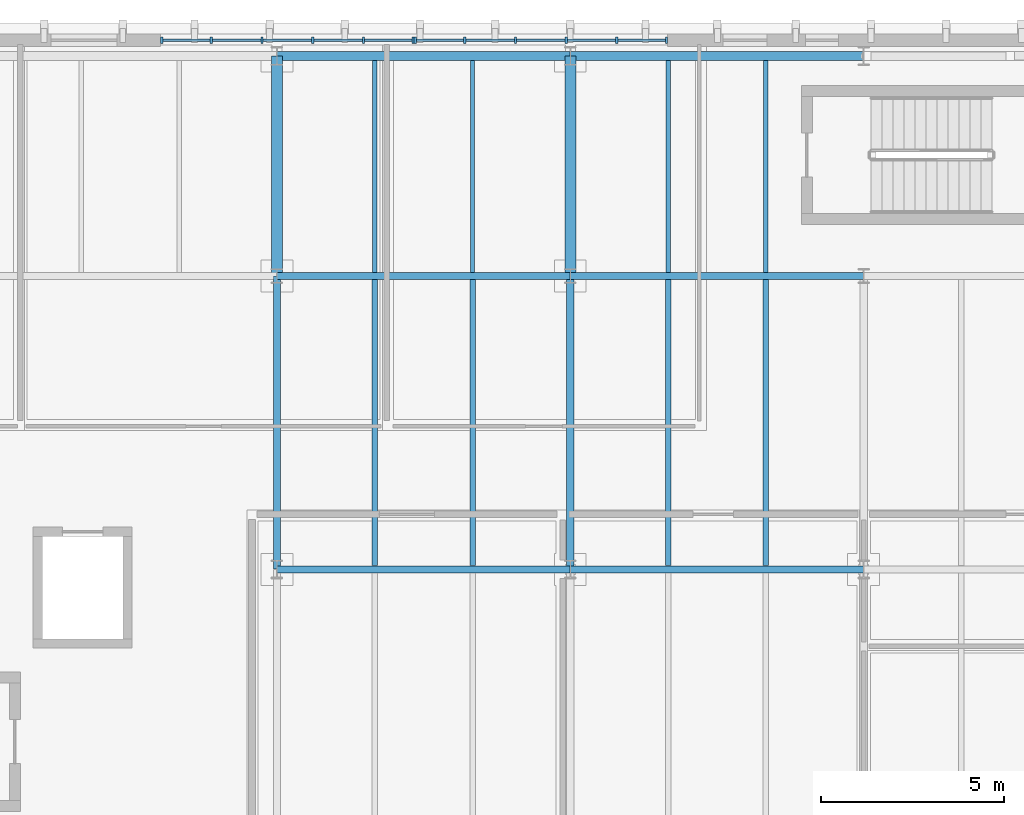
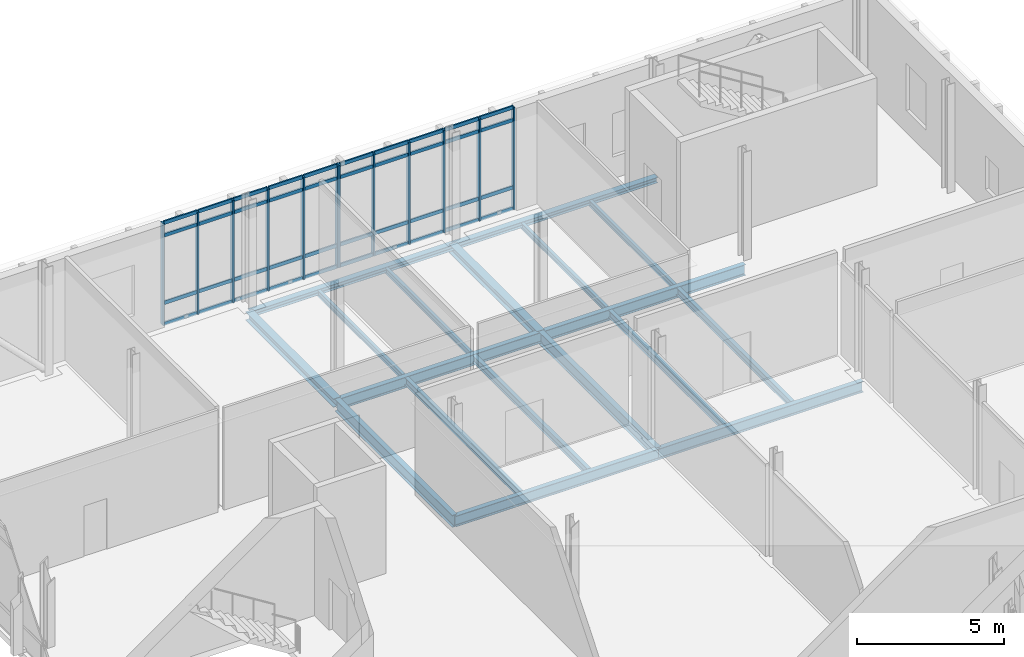
# One storey, part 39 of 100: 52 members, 18 beams, 2 elements without a shape of their own.
"""IFC4 building model written with IfcOpenShell, lengths in metres."""

from ifc_helpers import new_model, si_unit, direction, frame, origin, origin_2d, place, context, subcontext, project, spatial, rectangle, i_section, extrude, material, material_profile, profile_set, type_object, element, aggregate, save


model = new_model("IFC4")

# Units and contexts
model_context = context("Model", 3, precision=1e-05, world=origin(), true_north=direction((0.0, 1.0)))
body_context = subcontext(model_context, "Body", "Model", "MODEL_VIEW")
ifc_project = project(units=[si_unit("LENGTHUNIT", "METRE"), si_unit("AREAUNIT", "SQUARE_METRE"), si_unit("VOLUMEUNIT", "CUBIC_METRE"), si_unit("PLANEANGLEUNIT", "RADIAN"), si_unit("MASSUNIT", "GRAM", prefix="KILO")], contexts=[model_context])

# Site, building, storey
site_placement = place(None, origin())
site = spatial("IfcSite", under=ifc_project, at=site_placement, CompositionType="ELEMENT")
building_placement = place(site_placement, origin())
building = spatial("IfcBuilding", under=site, at=building_placement, Name="Cymarion Research Institute", CompositionType="ELEMENT")
storey_placement = place(building_placement, frame((0.0, 0.0, 4.800048828125)))
storey = spatial("IfcBuildingStorey", under=building, at=storey_placement, Name="L01", CompositionType="ELEMENT", Elevation=4.800048828125)

# Curtain wall, members
ifc_material_1 = material(Name="Anodised aluminium unitised curtain wall with Low-E glazing", Category="aluminium")
curtain_wall_type = type_object("IfcCurtainWallType", Name="UNITISED CURTAIN WALL CW23 6910X4250", PredefinedType="NOTDEFINED", material=ifc_material_1)
curtain_wall_1_placement = place(storey_placement, origin())
curtain_wall_1 = element("IfcCurtainWall", 1, at=curtain_wall_1_placement, inside=storey, type_object=curtain_wall_type, Name="L01 V5 unitised curtain wall CW23 #49", PredefinedType="NOTDEFINED")
ifc_material_2 = material(Name="Anodised aluminium framing", Category="aluminium")
ifc_material_profile_1 = material_profile(ifc_material_2, rectangle(XDim=0.06005859375, YDim=0.179931640625, at=origin_2d()), Name="ALU MULLION 60x180")
ifc_profile_set_1 = profile_set([ifc_material_profile_1], Name="Anodised aluminium framing")
member_type_1 = type_object("IfcMemberType", Name="CURTAIN WALL MULLION ML01 60X180", PredefinedType="MULLION", material=ifc_profile_set_1)
member_1_placement = place(storey_placement, frame((33.221923828125, 115.929931640625, 0.0), z_axis=(0.0, 0.0, 1.0), x_axis=(-1.0, 0.0, 0.0)))
member_1 = element("IfcMember", 2, at=member_1_placement, type_object=member_type_1, Name="CW23 mullion 1", PredefinedType="MULLION", context=body_context, shape_type="SweptSolid", body=[
    extrude(rectangle(XDim=0.06005859375, YDim=0.179931640625, at=origin_2d()), origin(), (0.0, 0.0, 1.0), 4.25),
])
member_2_placement = place(storey_placement, frame((31.869384765625, 115.929931640625, 0.0), z_axis=(0.0, 0.0, 1.0), x_axis=(-1.0, 0.0, 0.0)))
member_2 = element("IfcMember", 3, at=member_2_placement, type_object=member_type_1, Name="CW23 mullion 2", PredefinedType="MULLION", context=body_context, shape_type="SweptSolid", body=[
    extrude(rectangle(XDim=0.06005859375, YDim=0.179931640625, at=origin_2d()), origin(), (0.0, 0.0, 1.0), 4.25),
])
member_3_placement = place(storey_placement, frame((30.48681640625, 115.929931640625, 0.0), z_axis=(0.0, 0.0, 1.0), x_axis=(-1.0, 0.0, 0.0)))
member_3 = element("IfcMember", 4, at=member_3_placement, type_object=member_type_1, Name="CW23 mullion 3", PredefinedType="MULLION", context=body_context, shape_type="SweptSolid", body=[
    extrude(rectangle(XDim=0.06005859375, YDim=0.179931640625, at=origin_2d()), origin(), (0.0, 0.0, 1.0), 4.25),
])
member_4_placement = place(storey_placement, frame((29.104248046875, 115.929931640625, 0.0), z_axis=(0.0, 0.0, 1.0), x_axis=(-1.0, 0.0, 0.0)))
member_4 = element("IfcMember", 5, at=member_4_placement, type_object=member_type_1, Name="CW23 mullion 4", PredefinedType="MULLION", context=body_context, shape_type="SweptSolid", body=[
    extrude(rectangle(XDim=0.06005859375, YDim=0.179931640625, at=origin_2d()), origin(), (0.0, 0.0, 1.0), 4.25),
])
member_5_placement = place(storey_placement, frame((27.7216796875, 115.929931640625, 0.0), z_axis=(0.0, 0.0, 1.0), x_axis=(-1.0, 0.0, 0.0)))
member_5 = element("IfcMember", 6, at=member_5_placement, type_object=member_type_1, Name="CW23 mullion 5", PredefinedType="MULLION", context=body_context, shape_type="SweptSolid", body=[
    extrude(rectangle(XDim=0.06005859375, YDim=0.179931640625, at=origin_2d()), origin(), (0.0, 0.0, 1.0), 4.25),
])
member_6_placement = place(storey_placement, frame((26.368896484375, 115.929931640625, 0.0), z_axis=(0.0, 0.0, 1.0), x_axis=(-1.0, 0.0, 0.0)))
member_6 = element("IfcMember", 7, at=member_6_placement, type_object=member_type_1, Name="CW23 mullion 6", PredefinedType="MULLION", context=body_context, shape_type="SweptSolid", body=[
    extrude(rectangle(XDim=0.06005859375, YDim=0.179931640625, at=origin_2d()), origin(), (0.0, 0.0, 1.0), 4.25),
])

curtain_wall_2_placement = place(storey_placement, origin())
curtain_wall_2 = element("IfcCurtainWall", 8, at=curtain_wall_2_placement, inside=storey, type_object=curtain_wall_type, Name="L01 V5 unitised curtain wall CW23 #50", PredefinedType="NOTDEFINED")
member_7_placement = place(storey_placement, frame((26.30908203125, 115.929931640625, 0.0), z_axis=(0.0, 0.0, 1.0), x_axis=(-1.0, 0.0, 0.0)))
member_7 = element("IfcMember", 9, at=member_7_placement, type_object=member_type_1, Name="CW23 mullion 1", PredefinedType="MULLION", context=body_context, shape_type="SweptSolid", body=[
    extrude(rectangle(XDim=0.06005859375, YDim=0.179931640625, at=origin_2d()), origin(), (0.0, 0.0, 1.0), 4.25),
])
member_8_placement = place(storey_placement, frame((24.956298828125, 115.929931640625, 0.0), z_axis=(0.0, 0.0, 1.0), x_axis=(-1.0, 0.0, 0.0)))
member_8 = element("IfcMember", 10, at=member_8_placement, type_object=member_type_1, Name="CW23 mullion 2", PredefinedType="MULLION", context=body_context, shape_type="SweptSolid", body=[
    extrude(rectangle(XDim=0.06005859375, YDim=0.179931640625, at=origin_2d()), origin(), (0.0, 0.0, 1.0), 4.25),
])
member_9_placement = place(storey_placement, frame((23.57373046875, 115.929931640625, 0.0), z_axis=(0.0, 0.0, 1.0), x_axis=(-1.0, 0.0, 0.0)))
member_9 = element("IfcMember", 11, at=member_9_placement, type_object=member_type_1, Name="CW23 mullion 3", PredefinedType="MULLION", context=body_context, shape_type="SweptSolid", body=[
    extrude(rectangle(XDim=0.06005859375, YDim=0.179931640625, at=origin_2d()), origin(), (0.0, 0.0, 1.0), 4.25),
])
member_10_placement = place(storey_placement, frame((22.191162109375, 115.929931640625, 0.0), z_axis=(0.0, 0.0, 1.0), x_axis=(-1.0, 0.0, 0.0)))
member_10 = element("IfcMember", 12, at=member_10_placement, type_object=member_type_1, Name="CW23 mullion 4", PredefinedType="MULLION", context=body_context, shape_type="SweptSolid", body=[
    extrude(rectangle(XDim=0.06005859375, YDim=0.179931640625, at=origin_2d()), origin(), (0.0, 0.0, 1.0), 4.25),
])
member_11_placement = place(storey_placement, frame((20.80859375, 115.929931640625, 0.0), z_axis=(0.0, 0.0, 1.0), x_axis=(-1.0, 0.0, 0.0)))
member_11 = element("IfcMember", 13, at=member_11_placement, type_object=member_type_1, Name="CW23 mullion 5", PredefinedType="MULLION", context=body_context, shape_type="SweptSolid", body=[
    extrude(rectangle(XDim=0.06005859375, YDim=0.179931640625, at=origin_2d()), origin(), (0.0, 0.0, 1.0), 4.25),
])
member_12_placement = place(storey_placement, frame((19.4560546875, 115.929931640625, 0.0), z_axis=(0.0, 0.0, 1.0), x_axis=(-1.0, 0.0, 0.0)))
member_12 = element("IfcMember", 14, at=member_12_placement, type_object=member_type_1, Name="CW23 mullion 6", PredefinedType="MULLION", context=body_context, shape_type="SweptSolid", body=[
    extrude(rectangle(XDim=0.06005859375, YDim=0.179931640625, at=origin_2d()), origin(), (0.0, 0.0, 1.0), 4.25),
])

# Member
ifc_material_profile_2 = material_profile(ifc_material_2, rectangle(XDim=0.06005859375, YDim=0.14990234375, at=origin_2d()), Name="ALU TRANSOM 60x150")
ifc_profile_set_2 = profile_set([ifc_material_profile_2], Name="Anodised aluminium framing")
member_type_2 = type_object("IfcMemberType", Name="CURTAIN WALL TRANSOM TR01 60X150", PredefinedType="USERDEFINED", material=ifc_profile_set_2)
member_13_placement = place(storey_placement, frame((33.19189453125, 115.929931640625, 0.030029296875), z_axis=(-1.0, 0.0, 0.0), x_axis=(0.0, -1.0, 0.0)))
member_13 = element("IfcMember", 15, at=member_13_placement, type_object=member_type_2, Name="CW23 transom 1.1", ObjectType="TRANSOM", PredefinedType="USERDEFINED", context=body_context, shape_type="SweptSolid", body=[
    extrude(rectangle(XDim=0.06005859375, YDim=0.14990234375, at=origin_2d()), origin(), (0.0, 0.0, 1.0), 1.29248046875),
])

member_14_placement = place(storey_placement, frame((33.19189453125, 115.929931640625, 0.89990234375), z_axis=(-1.0, 0.0, 0.0), x_axis=(0.0, -1.0, 0.0)))
member_14 = element("IfcMember", 16, at=member_14_placement, type_object=member_type_2, Name="CW23 transom 1.2", ObjectType="TRANSOM", PredefinedType="USERDEFINED", context=body_context, shape_type="SweptSolid", body=[
    extrude(rectangle(XDim=0.06005859375, YDim=0.14990234375, at=origin_2d()), origin(), (0.0, 0.0, 1.0), 1.29248046875),
])

member_15_placement = place(storey_placement, frame((33.19189453125, 115.929931640625, 3.699951171875), z_axis=(-1.0, 0.0, 0.0), x_axis=(0.0, -1.0, 0.0)))
member_15 = element("IfcMember", 17, at=member_15_placement, type_object=member_type_2, Name="CW23 transom 1.3", ObjectType="TRANSOM", PredefinedType="USERDEFINED", context=body_context, shape_type="SweptSolid", body=[
    extrude(rectangle(XDim=0.06005859375, YDim=0.14990234375, at=origin_2d()), origin(), (0.0, 0.0, 1.0), 1.29248046875),
])

member_16_placement = place(storey_placement, frame((33.19189453125, 115.929931640625, 4.219970703125), z_axis=(-1.0, 0.0, 0.0), x_axis=(0.0, -1.0, 0.0)))
member_16 = element("IfcMember", 18, at=member_16_placement, type_object=member_type_2, Name="CW23 transom 1.4", ObjectType="TRANSOM", PredefinedType="USERDEFINED", context=body_context, shape_type="SweptSolid", body=[
    extrude(rectangle(XDim=0.06005859375, YDim=0.14990234375, at=origin_2d()), origin(), (0.0, 0.0, 1.0), 1.29248046875),
])

member_17_placement = place(storey_placement, frame((31.83935546875, 115.929931640625, 0.030029296875), z_axis=(-1.0, 0.0, 0.0), x_axis=(0.0, -1.0, 0.0)))
member_17 = element("IfcMember", 19, at=member_17_placement, type_object=member_type_2, Name="CW23 transom 2.1", ObjectType="TRANSOM", PredefinedType="USERDEFINED", context=body_context, shape_type="SweptSolid", body=[
    extrude(rectangle(XDim=0.06005859375, YDim=0.14990234375, at=origin_2d()), origin(), (0.0, 0.0, 1.0), 1.322509765625),
])

member_18_placement = place(storey_placement, frame((31.83935546875, 115.929931640625, 0.89990234375), z_axis=(-1.0, 0.0, 0.0), x_axis=(0.0, -1.0, 0.0)))
member_18 = element("IfcMember", 20, at=member_18_placement, type_object=member_type_2, Name="CW23 transom 2.2", ObjectType="TRANSOM", PredefinedType="USERDEFINED", context=body_context, shape_type="SweptSolid", body=[
    extrude(rectangle(XDim=0.06005859375, YDim=0.14990234375, at=origin_2d()), origin(), (0.0, 0.0, 1.0), 1.322509765625),
])

member_19_placement = place(storey_placement, frame((31.83935546875, 115.929931640625, 3.699951171875), z_axis=(-1.0, 0.0, 0.0), x_axis=(0.0, -1.0, 0.0)))
member_19 = element("IfcMember", 21, at=member_19_placement, type_object=member_type_2, Name="CW23 transom 2.3", ObjectType="TRANSOM", PredefinedType="USERDEFINED", context=body_context, shape_type="SweptSolid", body=[
    extrude(rectangle(XDim=0.06005859375, YDim=0.14990234375, at=origin_2d()), origin(), (0.0, 0.0, 1.0), 1.322509765625),
])

member_20_placement = place(storey_placement, frame((31.83935546875, 115.929931640625, 4.219970703125), z_axis=(-1.0, 0.0, 0.0), x_axis=(0.0, -1.0, 0.0)))
member_20 = element("IfcMember", 22, at=member_20_placement, type_object=member_type_2, Name="CW23 transom 2.4", ObjectType="TRANSOM", PredefinedType="USERDEFINED", context=body_context, shape_type="SweptSolid", body=[
    extrude(rectangle(XDim=0.06005859375, YDim=0.14990234375, at=origin_2d()), origin(), (0.0, 0.0, 1.0), 1.322509765625),
])

member_21_placement = place(storey_placement, frame((30.456787109375, 115.929931640625, 0.030029296875), z_axis=(-1.0, 0.0, 0.0), x_axis=(0.0, -1.0, 0.0)))
member_21 = element("IfcMember", 23, at=member_21_placement, type_object=member_type_2, Name="CW23 transom 3.1", ObjectType="TRANSOM", PredefinedType="USERDEFINED", context=body_context, shape_type="SweptSolid", body=[
    extrude(rectangle(XDim=0.06005859375, YDim=0.14990234375, at=origin_2d()), origin(), (0.0, 0.0, 1.0), 1.322509765625),
])

member_22_placement = place(storey_placement, frame((30.456787109375, 115.929931640625, 0.89990234375), z_axis=(-1.0, 0.0, 0.0), x_axis=(0.0, -1.0, 0.0)))
member_22 = element("IfcMember", 24, at=member_22_placement, type_object=member_type_2, Name="CW23 transom 3.2", ObjectType="TRANSOM", PredefinedType="USERDEFINED", context=body_context, shape_type="SweptSolid", body=[
    extrude(rectangle(XDim=0.06005859375, YDim=0.14990234375, at=origin_2d()), origin(), (0.0, 0.0, 1.0), 1.322509765625),
])

member_23_placement = place(storey_placement, frame((30.456787109375, 115.929931640625, 3.699951171875), z_axis=(-1.0, 0.0, 0.0), x_axis=(0.0, -1.0, 0.0)))
member_23 = element("IfcMember", 25, at=member_23_placement, type_object=member_type_2, Name="CW23 transom 3.3", ObjectType="TRANSOM", PredefinedType="USERDEFINED", context=body_context, shape_type="SweptSolid", body=[
    extrude(rectangle(XDim=0.06005859375, YDim=0.14990234375, at=origin_2d()), origin(), (0.0, 0.0, 1.0), 1.322509765625),
])

member_24_placement = place(storey_placement, frame((30.456787109375, 115.929931640625, 4.219970703125), z_axis=(-1.0, 0.0, 0.0), x_axis=(0.0, -1.0, 0.0)))
member_24 = element("IfcMember", 26, at=member_24_placement, type_object=member_type_2, Name="CW23 transom 3.4", ObjectType="TRANSOM", PredefinedType="USERDEFINED", context=body_context, shape_type="SweptSolid", body=[
    extrude(rectangle(XDim=0.06005859375, YDim=0.14990234375, at=origin_2d()), origin(), (0.0, 0.0, 1.0), 1.322509765625),
])

member_25_placement = place(storey_placement, frame((29.07421875, 115.929931640625, 0.030029296875), z_axis=(-1.0, 0.0, 0.0), x_axis=(0.0, -1.0, 0.0)))
member_25 = element("IfcMember", 27, at=member_25_placement, type_object=member_type_2, Name="CW23 transom 4.1", ObjectType="TRANSOM", PredefinedType="USERDEFINED", context=body_context, shape_type="SweptSolid", body=[
    extrude(rectangle(XDim=0.06005859375, YDim=0.14990234375, at=origin_2d()), origin(), (0.0, 0.0, 1.0), 1.322509765625),
])

member_26_placement = place(storey_placement, frame((29.07421875, 115.929931640625, 0.89990234375), z_axis=(-1.0, 0.0, 0.0), x_axis=(0.0, -1.0, 0.0)))
member_26 = element("IfcMember", 28, at=member_26_placement, type_object=member_type_2, Name="CW23 transom 4.2", ObjectType="TRANSOM", PredefinedType="USERDEFINED", context=body_context, shape_type="SweptSolid", body=[
    extrude(rectangle(XDim=0.06005859375, YDim=0.14990234375, at=origin_2d()), origin(), (0.0, 0.0, 1.0), 1.322509765625),
])

member_27_placement = place(storey_placement, frame((29.07421875, 115.929931640625, 3.699951171875), z_axis=(-1.0, 0.0, 0.0), x_axis=(0.0, -1.0, 0.0)))
member_27 = element("IfcMember", 29, at=member_27_placement, type_object=member_type_2, Name="CW23 transom 4.3", ObjectType="TRANSOM", PredefinedType="USERDEFINED", context=body_context, shape_type="SweptSolid", body=[
    extrude(rectangle(XDim=0.06005859375, YDim=0.14990234375, at=origin_2d()), origin(), (0.0, 0.0, 1.0), 1.322509765625),
])

member_28_placement = place(storey_placement, frame((29.07421875, 115.929931640625, 4.219970703125), z_axis=(-1.0, 0.0, 0.0), x_axis=(0.0, -1.0, 0.0)))
member_28 = element("IfcMember", 30, at=member_28_placement, type_object=member_type_2, Name="CW23 transom 4.4", ObjectType="TRANSOM", PredefinedType="USERDEFINED", context=body_context, shape_type="SweptSolid", body=[
    extrude(rectangle(XDim=0.06005859375, YDim=0.14990234375, at=origin_2d()), origin(), (0.0, 0.0, 1.0), 1.322509765625),
])

member_29_placement = place(storey_placement, frame((27.691650390625, 115.929931640625, 0.030029296875), z_axis=(-1.0, 0.0, 0.0), x_axis=(0.0, -1.0, 0.0)))
member_29 = element("IfcMember", 31, at=member_29_placement, type_object=member_type_2, Name="CW23 transom 5.1", ObjectType="TRANSOM", PredefinedType="USERDEFINED", context=body_context, shape_type="SweptSolid", body=[
    extrude(rectangle(XDim=0.06005859375, YDim=0.14990234375, at=origin_2d()), origin(), (0.0, 0.0, 1.0), 1.292724609375),
])

member_30_placement = place(storey_placement, frame((27.691650390625, 115.929931640625, 0.89990234375), z_axis=(-1.0, 0.0, 0.0), x_axis=(0.0, -1.0, 0.0)))
member_30 = element("IfcMember", 32, at=member_30_placement, type_object=member_type_2, Name="CW23 transom 5.2", ObjectType="TRANSOM", PredefinedType="USERDEFINED", context=body_context, shape_type="SweptSolid", body=[
    extrude(rectangle(XDim=0.06005859375, YDim=0.14990234375, at=origin_2d()), origin(), (0.0, 0.0, 1.0), 1.292724609375),
])

member_31_placement = place(storey_placement, frame((27.691650390625, 115.929931640625, 3.699951171875), z_axis=(-1.0, 0.0, 0.0), x_axis=(0.0, -1.0, 0.0)))
member_31 = element("IfcMember", 33, at=member_31_placement, type_object=member_type_2, Name="CW23 transom 5.3", ObjectType="TRANSOM", PredefinedType="USERDEFINED", context=body_context, shape_type="SweptSolid", body=[
    extrude(rectangle(XDim=0.06005859375, YDim=0.14990234375, at=origin_2d()), origin(), (0.0, 0.0, 1.0), 1.292724609375),
])

member_32_placement = place(storey_placement, frame((27.691650390625, 115.929931640625, 4.219970703125), z_axis=(-1.0, 0.0, 0.0), x_axis=(0.0, -1.0, 0.0)))
member_32 = element("IfcMember", 34, at=member_32_placement, type_object=member_type_2, Name="CW23 transom 5.4", ObjectType="TRANSOM", PredefinedType="USERDEFINED", context=body_context, shape_type="SweptSolid", body=[
    extrude(rectangle(XDim=0.06005859375, YDim=0.14990234375, at=origin_2d()), origin(), (0.0, 0.0, 1.0), 1.292724609375),
])

aggregate(curtain_wall_1, [member_1, member_2, member_3, member_4, member_5, member_6, member_13, member_14, member_15, member_16, member_17, member_18, member_19, member_20, member_21, member_22, member_23, member_24, member_25, member_26, member_27, member_28, member_29, member_30, member_31, member_32])

member_33_placement = place(storey_placement, frame((26.279052734375, 115.929931640625, 0.030029296875), z_axis=(-1.0, 0.0, 0.0), x_axis=(0.0, -1.0, 0.0)))
member_33 = element("IfcMember", 35, at=member_33_placement, type_object=member_type_2, Name="CW23 transom 1.1", ObjectType="TRANSOM", PredefinedType="USERDEFINED", context=body_context, shape_type="SweptSolid", body=[
    extrude(rectangle(XDim=0.06005859375, YDim=0.14990234375, at=origin_2d()), origin(), (0.0, 0.0, 1.0), 1.292724609375),
])

member_34_placement = place(storey_placement, frame((26.279052734375, 115.929931640625, 0.89990234375), z_axis=(-1.0, 0.0, 0.0), x_axis=(0.0, -1.0, 0.0)))
member_34 = element("IfcMember", 36, at=member_34_placement, type_object=member_type_2, Name="CW23 transom 1.2", ObjectType="TRANSOM", PredefinedType="USERDEFINED", context=body_context, shape_type="SweptSolid", body=[
    extrude(rectangle(XDim=0.06005859375, YDim=0.14990234375, at=origin_2d()), origin(), (0.0, 0.0, 1.0), 1.292724609375),
])

member_35_placement = place(storey_placement, frame((26.279052734375, 115.929931640625, 3.699951171875), z_axis=(-1.0, 0.0, 0.0), x_axis=(0.0, -1.0, 0.0)))
member_35 = element("IfcMember", 37, at=member_35_placement, type_object=member_type_2, Name="CW23 transom 1.3", ObjectType="TRANSOM", PredefinedType="USERDEFINED", context=body_context, shape_type="SweptSolid", body=[
    extrude(rectangle(XDim=0.06005859375, YDim=0.14990234375, at=origin_2d()), origin(), (0.0, 0.0, 1.0), 1.292724609375),
])

member_36_placement = place(storey_placement, frame((26.279052734375, 115.929931640625, 4.219970703125), z_axis=(-1.0, 0.0, 0.0), x_axis=(0.0, -1.0, 0.0)))
member_36 = element("IfcMember", 38, at=member_36_placement, type_object=member_type_2, Name="CW23 transom 1.4", ObjectType="TRANSOM", PredefinedType="USERDEFINED", context=body_context, shape_type="SweptSolid", body=[
    extrude(rectangle(XDim=0.06005859375, YDim=0.14990234375, at=origin_2d()), origin(), (0.0, 0.0, 1.0), 1.292724609375),
])

member_37_placement = place(storey_placement, frame((24.926513671875, 115.929931640625, 0.030029296875), z_axis=(-1.0, 0.0, 0.0), x_axis=(0.0, -1.0, 0.0)))
member_37 = element("IfcMember", 39, at=member_37_placement, type_object=member_type_2, Name="CW23 transom 2.1", ObjectType="TRANSOM", PredefinedType="USERDEFINED", context=body_context, shape_type="SweptSolid", body=[
    extrude(rectangle(XDim=0.06005859375, YDim=0.14990234375, at=origin_2d()), origin(), (0.0, 0.0, 1.0), 1.32275390625),
])

member_38_placement = place(storey_placement, frame((24.926513671875, 115.929931640625, 0.89990234375), z_axis=(-1.0, 0.0, 0.0), x_axis=(0.0, -1.0, 0.0)))
member_38 = element("IfcMember", 40, at=member_38_placement, type_object=member_type_2, Name="CW23 transom 2.2", ObjectType="TRANSOM", PredefinedType="USERDEFINED", context=body_context, shape_type="SweptSolid", body=[
    extrude(rectangle(XDim=0.06005859375, YDim=0.14990234375, at=origin_2d()), origin(), (0.0, 0.0, 1.0), 1.32275390625),
])

member_39_placement = place(storey_placement, frame((24.926513671875, 115.929931640625, 3.699951171875), z_axis=(-1.0, 0.0, 0.0), x_axis=(0.0, -1.0, 0.0)))
member_39 = element("IfcMember", 41, at=member_39_placement, type_object=member_type_2, Name="CW23 transom 2.3", ObjectType="TRANSOM", PredefinedType="USERDEFINED", context=body_context, shape_type="SweptSolid", body=[
    extrude(rectangle(XDim=0.06005859375, YDim=0.14990234375, at=origin_2d()), origin(), (0.0, 0.0, 1.0), 1.32275390625),
])

member_40_placement = place(storey_placement, frame((24.926513671875, 115.929931640625, 4.219970703125), z_axis=(-1.0, 0.0, 0.0), x_axis=(0.0, -1.0, 0.0)))
member_40 = element("IfcMember", 42, at=member_40_placement, type_object=member_type_2, Name="CW23 transom 2.4", ObjectType="TRANSOM", PredefinedType="USERDEFINED", context=body_context, shape_type="SweptSolid", body=[
    extrude(rectangle(XDim=0.06005859375, YDim=0.14990234375, at=origin_2d()), origin(), (0.0, 0.0, 1.0), 1.32275390625),
])

member_41_placement = place(storey_placement, frame((23.543701171875, 115.929931640625, 0.030029296875), z_axis=(-1.0, 0.0, 0.0), x_axis=(0.0, -1.0, 0.0)))
member_41 = element("IfcMember", 43, at=member_41_placement, type_object=member_type_2, Name="CW23 transom 3.1", ObjectType="TRANSOM", PredefinedType="USERDEFINED", context=body_context, shape_type="SweptSolid", body=[
    extrude(rectangle(XDim=0.06005859375, YDim=0.14990234375, at=origin_2d()), origin(), (0.0, 0.0, 1.0), 1.322509765625),
])

member_42_placement = place(storey_placement, frame((23.543701171875, 115.929931640625, 0.89990234375), z_axis=(-1.0, 0.0, 0.0), x_axis=(0.0, -1.0, 0.0)))
member_42 = element("IfcMember", 44, at=member_42_placement, type_object=member_type_2, Name="CW23 transom 3.2", ObjectType="TRANSOM", PredefinedType="USERDEFINED", context=body_context, shape_type="SweptSolid", body=[
    extrude(rectangle(XDim=0.06005859375, YDim=0.14990234375, at=origin_2d()), origin(), (0.0, 0.0, 1.0), 1.322509765625),
])

member_43_placement = place(storey_placement, frame((23.543701171875, 115.929931640625, 3.699951171875), z_axis=(-1.0, 0.0, 0.0), x_axis=(0.0, -1.0, 0.0)))
member_43 = element("IfcMember", 45, at=member_43_placement, type_object=member_type_2, Name="CW23 transom 3.3", ObjectType="TRANSOM", PredefinedType="USERDEFINED", context=body_context, shape_type="SweptSolid", body=[
    extrude(rectangle(XDim=0.06005859375, YDim=0.14990234375, at=origin_2d()), origin(), (0.0, 0.0, 1.0), 1.322509765625),
])

member_44_placement = place(storey_placement, frame((23.543701171875, 115.929931640625, 4.219970703125), z_axis=(-1.0, 0.0, 0.0), x_axis=(0.0, -1.0, 0.0)))
member_44 = element("IfcMember", 46, at=member_44_placement, type_object=member_type_2, Name="CW23 transom 3.4", ObjectType="TRANSOM", PredefinedType="USERDEFINED", context=body_context, shape_type="SweptSolid", body=[
    extrude(rectangle(XDim=0.06005859375, YDim=0.14990234375, at=origin_2d()), origin(), (0.0, 0.0, 1.0), 1.322509765625),
])

member_45_placement = place(storey_placement, frame((22.1611328125, 115.929931640625, 0.030029296875), z_axis=(-1.0, 0.0, 0.0), x_axis=(0.0, -1.0, 0.0)))
member_45 = element("IfcMember", 47, at=member_45_placement, type_object=member_type_2, Name="CW23 transom 4.1", ObjectType="TRANSOM", PredefinedType="USERDEFINED", context=body_context, shape_type="SweptSolid", body=[
    extrude(rectangle(XDim=0.06005859375, YDim=0.14990234375, at=origin_2d()), origin(), (0.0, 0.0, 1.0), 1.322509765625),
])

member_46_placement = place(storey_placement, frame((22.1611328125, 115.929931640625, 0.89990234375), z_axis=(-1.0, 0.0, 0.0), x_axis=(0.0, -1.0, 0.0)))
member_46 = element("IfcMember", 48, at=member_46_placement, type_object=member_type_2, Name="CW23 transom 4.2", ObjectType="TRANSOM", PredefinedType="USERDEFINED", context=body_context, shape_type="SweptSolid", body=[
    extrude(rectangle(XDim=0.06005859375, YDim=0.14990234375, at=origin_2d()), origin(), (0.0, 0.0, 1.0), 1.322509765625),
])

member_47_placement = place(storey_placement, frame((22.1611328125, 115.929931640625, 3.699951171875), z_axis=(-1.0, 0.0, 0.0), x_axis=(0.0, -1.0, 0.0)))
member_47 = element("IfcMember", 49, at=member_47_placement, type_object=member_type_2, Name="CW23 transom 4.3", ObjectType="TRANSOM", PredefinedType="USERDEFINED", context=body_context, shape_type="SweptSolid", body=[
    extrude(rectangle(XDim=0.06005859375, YDim=0.14990234375, at=origin_2d()), origin(), (0.0, 0.0, 1.0), 1.322509765625),
])

member_48_placement = place(storey_placement, frame((22.1611328125, 115.929931640625, 4.219970703125), z_axis=(-1.0, 0.0, 0.0), x_axis=(0.0, -1.0, 0.0)))
member_48 = element("IfcMember", 50, at=member_48_placement, type_object=member_type_2, Name="CW23 transom 4.4", ObjectType="TRANSOM", PredefinedType="USERDEFINED", context=body_context, shape_type="SweptSolid", body=[
    extrude(rectangle(XDim=0.06005859375, YDim=0.14990234375, at=origin_2d()), origin(), (0.0, 0.0, 1.0), 1.322509765625),
])

member_49_placement = place(storey_placement, frame((20.778564453125, 115.929931640625, 0.030029296875), z_axis=(-1.0, 0.0, 0.0), x_axis=(0.0, -1.0, 0.0)))
member_49 = element("IfcMember", 51, at=member_49_placement, type_object=member_type_2, Name="CW23 transom 5.1", ObjectType="TRANSOM", PredefinedType="USERDEFINED", context=body_context, shape_type="SweptSolid", body=[
    extrude(rectangle(XDim=0.06005859375, YDim=0.14990234375, at=origin_2d()), origin(), (0.0, 0.0, 1.0), 1.29248046875),
])

member_50_placement = place(storey_placement, frame((20.778564453125, 115.929931640625, 0.89990234375), z_axis=(-1.0, 0.0, 0.0), x_axis=(0.0, -1.0, 0.0)))
member_50 = element("IfcMember", 52, at=member_50_placement, type_object=member_type_2, Name="CW23 transom 5.2", ObjectType="TRANSOM", PredefinedType="USERDEFINED", context=body_context, shape_type="SweptSolid", body=[
    extrude(rectangle(XDim=0.06005859375, YDim=0.14990234375, at=origin_2d()), origin(), (0.0, 0.0, 1.0), 1.29248046875),
])

member_51_placement = place(storey_placement, frame((20.778564453125, 115.929931640625, 3.699951171875), z_axis=(-1.0, 0.0, 0.0), x_axis=(0.0, -1.0, 0.0)))
member_51 = element("IfcMember", 53, at=member_51_placement, type_object=member_type_2, Name="CW23 transom 5.3", ObjectType="TRANSOM", PredefinedType="USERDEFINED", context=body_context, shape_type="SweptSolid", body=[
    extrude(rectangle(XDim=0.06005859375, YDim=0.14990234375, at=origin_2d()), origin(), (0.0, 0.0, 1.0), 1.29248046875),
])

member_52_placement = place(storey_placement, frame((20.778564453125, 115.929931640625, 4.219970703125), z_axis=(-1.0, 0.0, 0.0), x_axis=(0.0, -1.0, 0.0)))
member_52 = element("IfcMember", 54, at=member_52_placement, type_object=member_type_2, Name="CW23 transom 5.4", ObjectType="TRANSOM", PredefinedType="USERDEFINED", context=body_context, shape_type="SweptSolid", body=[
    extrude(rectangle(XDim=0.06005859375, YDim=0.14990234375, at=origin_2d()), origin(), (0.0, 0.0, 1.0), 1.29248046875),
])

aggregate(curtain_wall_2, [member_7, member_8, member_9, member_10, member_11, member_12, member_33, member_34, member_35, member_36, member_37, member_38, member_39, member_40, member_41, member_42, member_43, member_44, member_45, member_46, member_47, member_48, member_49, member_50, member_51, member_52])

# Beams
ifc_material_3 = material(Name="Steel S355", Category="steel")
ifc_material_profile_3 = material_profile(ifc_material_3, i_section(OverallWidth=0.199951171875, OverallDepth=0.5, WebThickness=0.01025390625, FlangeThickness=0.01611328125, FilletRadius=0.02099609375, at=origin_2d()), Name="IPE 500")
ifc_profile_set_3 = profile_set([ifc_material_profile_3], Name="Steel S355")
beam_type_1 = type_object("IfcBeamType", Name="PRIMARY GIRDER BM03 IPE 500", PredefinedType="BEAM", material=ifc_profile_set_3)
for number, where, z_axis, x_axis, name in (
    (55, (22.60009765625, 101.506103515625, -0.5), (0.0, 1.0, 0.0), (-1.0, 0.0, 0.0), "L01 V5 girder BM03 #723"),
    (56, (30.60009765625, 101.506103515625, -0.5), (0.0, 1.0, 0.0), (-1.0, 0.0, 0.0), "L01 V5 girder BM03 #727"),
):
    element("IfcBeam", number, at=place(storey_placement, frame(where, z_axis=z_axis, x_axis=x_axis)), inside=storey, type_object=beam_type_1, Name=name, PredefinedType="BEAM", context=body_context, shape_type="SweptSolid", body=[
        extrude(i_section(OverallWidth=0.199951171875, OverallDepth=0.5, WebThickness=0.01025390625, FlangeThickness=0.01611328125, FilletRadius=0.02099609375, at=origin_2d()), origin(), (0.0, 0.0, 1.0), 7.98779296875),
    ])
ifc_material_profile_4 = material_profile(ifc_material_3, i_section(OverallWidth=0.18994140625, OverallDepth=0.449951171875, WebThickness=0.009521484375, FlangeThickness=0.0146484375, FilletRadius=0.02099609375, at=origin_2d()), Name="IPE 450")
ifc_profile_set_4 = profile_set([ifc_material_profile_4], Name="Steel S355")
beam_type_2 = type_object("IfcBeamType", Name="PRIMARY GIRDER BM04 IPE 450", PredefinedType="BEAM", material=ifc_profile_set_4)
for number, where, z_axis, x_axis, name in (
    (57, (22.60595703125, 101.5, -0.47509765625), (1.0, 0.0, 0.0), (0.0, 1.0, 0.0), "L01 V5 girder BM04 #702"),
    (58, (30.60595703125, 101.5, -0.47509765625), (1.0, 0.0, 0.0), (0.0, 1.0, 0.0), "L01 V5 girder BM04 #703"),
    (59, (22.60595703125, 109.5, -0.47509765625), (1.0, 0.0, 0.0), (0.0, 1.0, 0.0), "L01 V5 girder BM04 #707"),
    (60, (30.60595703125, 109.5, -0.47509765625), (1.0, 0.0, 0.0), (0.0, 1.0, 0.0), "L01 V5 girder BM04 #708"),
):
    element("IfcBeam", number, at=place(storey_placement, frame(where, z_axis=z_axis, x_axis=x_axis)), inside=storey, type_object=beam_type_2, Name=name, PredefinedType="BEAM", context=body_context, shape_type="SweptSolid", body=[
        extrude(i_section(OverallWidth=0.18994140625, OverallDepth=0.449951171875, WebThickness=0.009521484375, FlangeThickness=0.0146484375, FilletRadius=0.02099609375, at=origin_2d()), origin(), (0.0, 0.0, 1.0), 7.988037109375),
    ])
ifc_material_profile_5 = material_profile(ifc_material_3, i_section(OverallWidth=0.300048828125, OverallDepth=0.35009765625, WebThickness=0.010009765625, FlangeThickness=0.017578125, FilletRadius=0.027099609375, at=origin_2d()), Name="HEA 360")
ifc_profile_set_5 = profile_set([ifc_material_profile_5], Name="Steel S355")
beam_type_3 = type_object("IfcBeamType", Name="PRIMARY GIRDER BM12 HEA 360", PredefinedType="BEAM", material=ifc_profile_set_5)
for number, where, z_axis, x_axis, name in (
    (61, (22.60009765625, 109.506103515625, -0.425048828125), (0.0, 1.0, 0.0), (-1.0, 0.0, 0.0), "L01 V5 girder BM12 #724"),
    (62, (30.60009765625, 109.506103515625, -0.425048828125), (0.0, 1.0, 0.0), (-1.0, 0.0, 0.0), "L01 V5 girder BM12 #728"),
):
    element("IfcBeam", number, at=place(storey_placement, frame(where, z_axis=z_axis, x_axis=x_axis)), inside=storey, type_object=beam_type_3, Name=name, PredefinedType="BEAM", context=body_context, shape_type="SweptSolid", body=[
        extrude(i_section(OverallWidth=0.300048828125, OverallDepth=0.35009765625, WebThickness=0.010009765625, FlangeThickness=0.017578125, FilletRadius=0.027099609375, at=origin_2d()), origin(), (0.0, 0.0, 1.0), 5.98779296875),
    ])
ifc_material_profile_6 = material_profile(ifc_material_3, i_section(OverallWidth=0.14990234375, OverallDepth=0.300048828125, WebThickness=0.007080078125, FlangeThickness=0.0107421875, FilletRadius=0.014892578125, at=origin_2d()), Name="IPE 300")
ifc_profile_set_6 = profile_set([ifc_material_profile_6], Name="Steel S355")
beam_type_4 = type_object("IfcBeamType", Name="SECONDARY JOIST JS02 IPE 300", PredefinedType="JOIST", material=ifc_profile_set_6)
for number, where, z_axis, x_axis, name in (
    (63, (25.2666015625, 101.59912109375, -0.400146484375), (0.0, 1.0, 0.0), (-1.0, 0.0, 0.0), "L01 V5 secondary joist JS02 #747"),
    (64, (27.933349609375, 101.59912109375, -0.400146484375), (0.0, 1.0, 0.0), (-1.0, 0.0, 0.0), "L01 V5 secondary joist JS02 #748"),
    (65, (33.2666015625, 101.59912109375, -0.400146484375), (0.0, 1.0, 0.0), (-1.0, 0.0, 0.0), "L01 V5 secondary joist JS02 #749"),
    (66, (35.933349609375, 101.59912109375, -0.400146484375), (0.0, 1.0, 0.0), (-1.0, 0.0, 0.0), "L01 V5 secondary joist JS02 #750"),
):
    element("IfcBeam", number, at=place(storey_placement, frame(where, z_axis=z_axis, x_axis=x_axis)), inside=storey, type_object=beam_type_4, Name=name, PredefinedType="JOIST", context=body_context, shape_type="SweptSolid", body=[
        extrude(i_section(OverallWidth=0.14990234375, OverallDepth=0.300048828125, WebThickness=0.007080078125, FlangeThickness=0.0107421875, FilletRadius=0.014892578125, at=origin_2d()), origin(), (0.0, 0.0, 1.0), 7.8017578125),
    ])
ifc_material_profile_7 = material_profile(ifc_material_3, i_section(OverallWidth=0.1201171875, OverallDepth=0.239990234375, WebThickness=0.006103515625, FlangeThickness=0.009765625, FilletRadius=0.014892578125, at=origin_2d()), Name="IPE 240")
ifc_profile_set_7 = profile_set([ifc_material_profile_7], Name="Steel S355")
beam_type_5 = type_object("IfcBeamType", Name="SECONDARY JOIST JS04 IPE 240", PredefinedType="JOIST", material=ifc_profile_set_7)
for number, where, z_axis, x_axis, name in (
    (67, (25.2666015625, 109.59912109375, -0.3701171875), (0.0, 1.0, 0.0), (-1.0, 0.0, 0.0), "L01 V5 secondary joist JS04 #757"),
    (68, (27.933349609375, 109.59912109375, -0.3701171875), (0.0, 1.0, 0.0), (-1.0, 0.0, 0.0), "L01 V5 secondary joist JS04 #758"),
    (69, (33.2666015625, 109.59912109375, -0.3701171875), (0.0, 1.0, 0.0), (-1.0, 0.0, 0.0), "L01 V5 secondary joist JS04 #759"),
    (70, (35.933349609375, 109.59912109375, -0.3701171875), (0.0, 1.0, 0.0), (-1.0, 0.0, 0.0), "L01 V5 secondary joist JS04 #760"),
):
    element("IfcBeam", number, at=place(storey_placement, frame(where, z_axis=z_axis, x_axis=x_axis)), inside=storey, type_object=beam_type_5, Name=name, PredefinedType="JOIST", context=body_context, shape_type="SweptSolid", body=[
        extrude(i_section(OverallWidth=0.1201171875, OverallDepth=0.239990234375, WebThickness=0.006103515625, FlangeThickness=0.009765625, FilletRadius=0.014892578125, at=origin_2d()), origin(), (0.0, 0.0, 1.0), 5.77685546875),
    ])
ifc_material_profile_8 = material_profile(ifc_material_3, i_section(OverallWidth=0.239990234375, OverallDepth=0.22998046875, WebThickness=0.007568359375, FlangeThickness=0.011962890625, FilletRadius=0.02099609375, at=origin_2d()), Name="HEA 240")
ifc_profile_set_8 = profile_set([ifc_material_profile_8], Name="Steel S355")
beam_type_6 = type_object("IfcBeamType", Name="SPANDREL BEAM SPB03 HEA 240", PredefinedType="SPANDREL", material=ifc_profile_set_8)
for number, where, z_axis, x_axis, name in (
    (71, (22.60595703125, 115.5, -0.364990234375), (1.0, 0.0, 0.0), (0.0, 1.0, 0.0), "L01 V5 girder SPB03 #712"),
    (72, (30.60595703125, 115.5, -0.364990234375), (1.0, 0.0, 0.0), (0.0, 1.0, 0.0), "L01 V5 girder SPB03 #713"),
):
    element("IfcBeam", number, at=place(storey_placement, frame(where, z_axis=z_axis, x_axis=x_axis)), inside=storey, type_object=beam_type_6, Name=name, PredefinedType="SPANDREL", context=body_context, shape_type="SweptSolid", body=[
        extrude(i_section(OverallWidth=0.239990234375, OverallDepth=0.22998046875, WebThickness=0.007568359375, FlangeThickness=0.011962890625, FilletRadius=0.02099609375, at=origin_2d()), origin(), (0.0, 0.0, 1.0), 7.988037109375),
    ])

save(model, "model.ifc")
